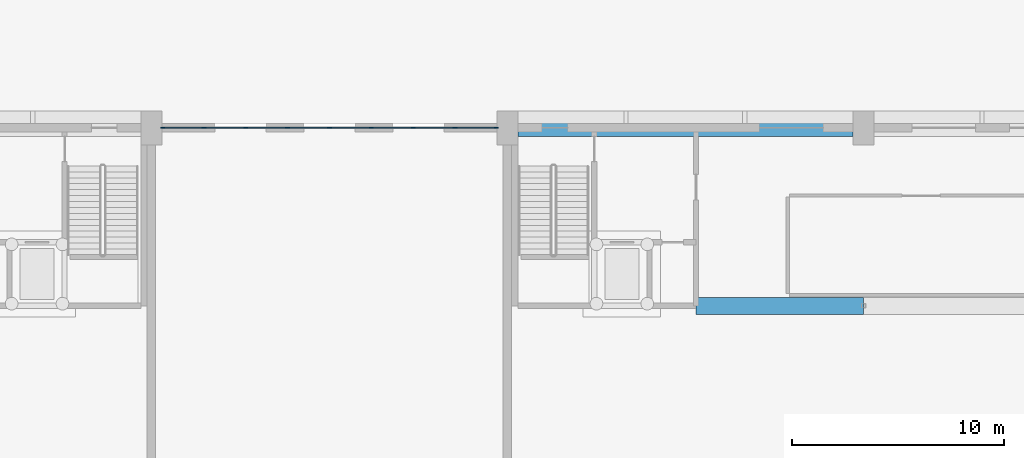
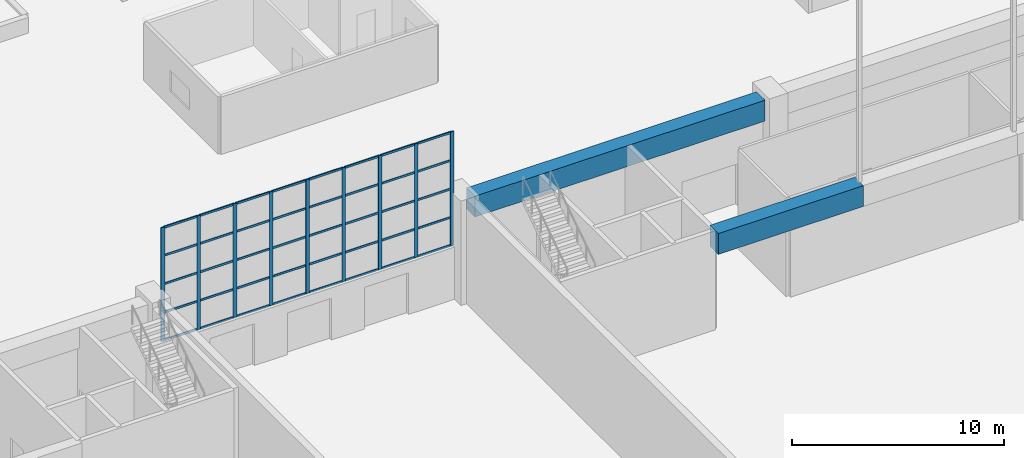
# One storey, part 66 of 210: 49 members, 2 beams, 1 element without a shape of its own.
"""IFC4 building model written with IfcOpenShell, lengths in metres."""

from ifc_helpers import new_model, si_unit, direction, frame, origin, origin_2d, place, context, subcontext, project, spatial, rectangle, extrude, material, material_profile, profile_set, type_object, element, aggregate, save


model = new_model("IFC4")

# Units and contexts
model_context = context("Model", 3, precision=1e-05, world=origin(), true_north=direction((0.0, 1.0)))
body_context = subcontext(model_context, "Body", "Model", "MODEL_VIEW")
ifc_project = project(units=[si_unit("LENGTHUNIT", "METRE"), si_unit("AREAUNIT", "SQUARE_METRE"), si_unit("VOLUMEUNIT", "CUBIC_METRE"), si_unit("PLANEANGLEUNIT", "RADIAN"), si_unit("MASSUNIT", "GRAM", prefix="KILO")], contexts=[model_context])

# Site, building, storey
site_placement = place(None, origin())
site = spatial("IfcSite", under=ifc_project, at=site_placement, CompositionType="ELEMENT")
building_placement = place(site_placement, origin())
building = spatial("IfcBuilding", under=site, at=building_placement, Name="Rain Tree Exposition and Congress Centre", CompositionType="ELEMENT")
storey_placement = place(building_placement, origin())
storey = spatial("IfcBuildingStorey", under=building, at=storey_placement, Name="L00", CompositionType="ELEMENT", Elevation=0.0)

# Curtain wall, members
ifc_material_1 = material(Name="Gable curtain wall 2800 module")
curtain_wall_type = type_object("IfcCurtainWallType", Name="Gable curtain wall 2800 module", PredefinedType="NOTDEFINED", material=ifc_material_1)
curtain_wall_placement = place(storey_placement, origin())
curtain_wall = element("IfcCurtainWall", 1, at=curtain_wall_placement, inside=storey, type_object=curtain_wall_type, Name="Link north curtain wall", PredefinedType="NOTDEFINED")
ifc_material_2 = material(Name="Aluminium", Category="aluminium")
ifc_material_profile_1 = material_profile(ifc_material_2, rectangle(XDim=0.06005859375, YDim=0.199951171875, at=origin_2d()), Name="Aluminium 60x200")
ifc_profile_set_1 = profile_set([ifc_material_profile_1], Name="Aluminium")
member_type_1 = type_object("IfcMemberType", Name="Gable mullion 60x200", PredefinedType="MULLION", material=ifc_profile_set_1)
member_1_placement = place(storey_placement, frame((126.530029296875, 201.60009765625, 3.0), z_axis=(0.0, 0.0, 1.0), x_axis=(0.0, 1.0, 0.0)))
member_1 = element("IfcMember", 2, at=member_1_placement, type_object=member_type_1, Name="CWHLN mullion 1", PredefinedType="MULLION", context=body_context, shape_type="SweptSolid", body=[
    extrude(rectangle(XDim=0.06005859375, YDim=0.199951171875, at=origin_2d()), origin(), (0.0, 0.0, 1.0), 6.550048828125),
])
member_2_placement = place(storey_placement, frame((128.47509765625, 201.60009765625, 3.0), z_axis=(0.0, 0.0, 1.0), x_axis=(0.0, 1.0, 0.0)))
member_2 = element("IfcMember", 3, at=member_2_placement, type_object=member_type_1, Name="CWHLN mullion 2", PredefinedType="MULLION", context=body_context, shape_type="SweptSolid", body=[
    extrude(rectangle(XDim=0.06005859375, YDim=0.199951171875, at=origin_2d()), origin(), (0.0, 0.0, 1.0), 6.550048828125),
])
member_3_placement = place(storey_placement, frame((130.449951171875, 201.60009765625, 3.0), z_axis=(0.0, 0.0, 1.0), x_axis=(0.0, 1.0, 0.0)))
member_3 = element("IfcMember", 4, at=member_3_placement, type_object=member_type_1, Name="CWHLN mullion 3", PredefinedType="MULLION", context=body_context, shape_type="SweptSolid", body=[
    extrude(rectangle(XDim=0.06005859375, YDim=0.199951171875, at=origin_2d()), origin(), (0.0, 0.0, 1.0), 6.550048828125),
])
member_4_placement = place(storey_placement, frame((132.425048828125, 201.60009765625, 3.0), z_axis=(0.0, 0.0, 1.0), x_axis=(0.0, 1.0, 0.0)))
member_4 = element("IfcMember", 5, at=member_4_placement, type_object=member_type_1, Name="CWHLN mullion 4", PredefinedType="MULLION", context=body_context, shape_type="SweptSolid", body=[
    extrude(rectangle(XDim=0.06005859375, YDim=0.199951171875, at=origin_2d()), origin(), (0.0, 0.0, 1.0), 6.550048828125),
])
member_5_placement = place(storey_placement, frame((134.39990234375, 201.60009765625, 3.0), z_axis=(0.0, 0.0, 1.0), x_axis=(0.0, 1.0, 0.0)))
member_5 = element("IfcMember", 6, at=member_5_placement, type_object=member_type_1, Name="CWHLN mullion 5", PredefinedType="MULLION", context=body_context, shape_type="SweptSolid", body=[
    extrude(rectangle(XDim=0.06005859375, YDim=0.199951171875, at=origin_2d()), origin(), (0.0, 0.0, 1.0), 6.550048828125),
])
member_6_placement = place(storey_placement, frame((136.375, 201.60009765625, 3.0), z_axis=(0.0, 0.0, 1.0), x_axis=(0.0, 1.0, 0.0)))
member_6 = element("IfcMember", 7, at=member_6_placement, type_object=member_type_1, Name="CWHLN mullion 6", PredefinedType="MULLION", context=body_context, shape_type="SweptSolid", body=[
    extrude(rectangle(XDim=0.06005859375, YDim=0.199951171875, at=origin_2d()), origin(), (0.0, 0.0, 1.0), 6.550048828125),
])
member_7_placement = place(storey_placement, frame((138.35009765625, 201.60009765625, 3.0), z_axis=(0.0, 0.0, 1.0), x_axis=(0.0, 1.0, 0.0)))
member_7 = element("IfcMember", 8, at=member_7_placement, type_object=member_type_1, Name="CWHLN mullion 7", PredefinedType="MULLION", context=body_context, shape_type="SweptSolid", body=[
    extrude(rectangle(XDim=0.06005859375, YDim=0.199951171875, at=origin_2d()), origin(), (0.0, 0.0, 1.0), 6.550048828125),
])
member_8_placement = place(storey_placement, frame((140.324951171875, 201.60009765625, 3.0), z_axis=(0.0, 0.0, 1.0), x_axis=(0.0, 1.0, 0.0)))
member_8 = element("IfcMember", 9, at=member_8_placement, type_object=member_type_1, Name="CWHLN mullion 8", PredefinedType="MULLION", context=body_context, shape_type="SweptSolid", body=[
    extrude(rectangle(XDim=0.06005859375, YDim=0.199951171875, at=origin_2d()), origin(), (0.0, 0.0, 1.0), 6.550048828125),
])
member_9_placement = place(storey_placement, frame((142.27001953125, 201.60009765625, 3.0), z_axis=(0.0, 0.0, 1.0), x_axis=(0.0, 1.0, 0.0)))
member_9 = element("IfcMember", 10, at=member_9_placement, type_object=member_type_1, Name="CWHLN mullion 9", PredefinedType="MULLION", context=body_context, shape_type="SweptSolid", body=[
    extrude(rectangle(XDim=0.06005859375, YDim=0.199951171875, at=origin_2d()), origin(), (0.0, 0.0, 1.0), 6.550048828125),
])
ifc_material_3 = material(Name="Aluminium", Category="aluminium")
ifc_material_profile_2 = material_profile(ifc_material_3, rectangle(XDim=0.06005859375, YDim=0.1201171875, at=origin_2d()), Name="Aluminium 60x120")
ifc_profile_set_2 = profile_set([ifc_material_profile_2], Name="Aluminium")
member_type_2 = type_object("IfcMemberType", Name="Gable transom 60x120", PredefinedType="USERDEFINED", material=ifc_profile_set_2)
member_10_placement = place(storey_placement, frame((126.56005859375, 201.60009765625, 3.030029296875), z_axis=(1.0, 0.0, 0.0), x_axis=(0.0, 1.0, 0.0)))
member_10 = element("IfcMember", 11, at=member_10_placement, type_object=member_type_2, Name="CWHLN transom 1.1", ObjectType="TRANSOM", PredefinedType="USERDEFINED", context=body_context, shape_type="SweptSolid", body=[
    extrude(rectangle(XDim=0.06005859375, YDim=0.1201171875, at=origin_2d()), origin(), (0.0, 0.0, 1.0), 1.885009765625),
])
member_11_placement = place(storey_placement, frame((126.56005859375, 201.60009765625, 4.637451171875), z_axis=(1.0, 0.0, 0.0), x_axis=(0.0, 1.0, 0.0)))
member_11 = element("IfcMember", 12, at=member_11_placement, type_object=member_type_2, Name="CWHLN transom 1.2", ObjectType="TRANSOM", PredefinedType="USERDEFINED", context=body_context, shape_type="SweptSolid", body=[
    extrude(rectangle(XDim=0.06005859375, YDim=0.1201171875, at=origin_2d()), origin(), (0.0, 0.0, 1.0), 1.885009765625),
])
member_12_placement = place(storey_placement, frame((126.56005859375, 201.60009765625, 6.27490234375), z_axis=(1.0, 0.0, 0.0), x_axis=(0.0, 1.0, 0.0)))
member_12 = element("IfcMember", 13, at=member_12_placement, type_object=member_type_2, Name="CWHLN transom 1.3", ObjectType="TRANSOM", PredefinedType="USERDEFINED", context=body_context, shape_type="SweptSolid", body=[
    extrude(rectangle(XDim=0.06005859375, YDim=0.1201171875, at=origin_2d()), origin(), (0.0, 0.0, 1.0), 1.885009765625),
])
member_13_placement = place(storey_placement, frame((126.56005859375, 201.60009765625, 7.91259765625), z_axis=(1.0, 0.0, 0.0), x_axis=(0.0, 1.0, 0.0)))
member_13 = element("IfcMember", 14, at=member_13_placement, type_object=member_type_2, Name="CWHLN transom 1.4", ObjectType="TRANSOM", PredefinedType="USERDEFINED", context=body_context, shape_type="SweptSolid", body=[
    extrude(rectangle(XDim=0.06005859375, YDim=0.1201171875, at=origin_2d()), origin(), (0.0, 0.0, 1.0), 1.885009765625),
])
member_14_placement = place(storey_placement, frame((126.56005859375, 201.60009765625, 9.52001953125), z_axis=(1.0, 0.0, 0.0), x_axis=(0.0, 1.0, 0.0)))
member_14 = element("IfcMember", 15, at=member_14_placement, type_object=member_type_2, Name="CWHLN transom 1.5", ObjectType="TRANSOM", PredefinedType="USERDEFINED", context=body_context, shape_type="SweptSolid", body=[
    extrude(rectangle(XDim=0.06005859375, YDim=0.1201171875, at=origin_2d()), origin(), (0.0, 0.0, 1.0), 1.885009765625),
])
member_15_placement = place(storey_placement, frame((128.5048828125, 201.60009765625, 3.030029296875), z_axis=(1.0, 0.0, 0.0), x_axis=(0.0, 1.0, 0.0)))
member_15 = element("IfcMember", 16, at=member_15_placement, type_object=member_type_2, Name="CWHLN transom 2.1", ObjectType="TRANSOM", PredefinedType="USERDEFINED", context=body_context, shape_type="SweptSolid", body=[
    extrude(rectangle(XDim=0.06005859375, YDim=0.1201171875, at=origin_2d()), origin(), (0.0, 0.0, 1.0), 1.9150390625),
])
member_16_placement = place(storey_placement, frame((128.5048828125, 201.60009765625, 4.637451171875), z_axis=(1.0, 0.0, 0.0), x_axis=(0.0, 1.0, 0.0)))
member_16 = element("IfcMember", 17, at=member_16_placement, type_object=member_type_2, Name="CWHLN transom 2.2", ObjectType="TRANSOM", PredefinedType="USERDEFINED", context=body_context, shape_type="SweptSolid", body=[
    extrude(rectangle(XDim=0.06005859375, YDim=0.1201171875, at=origin_2d()), origin(), (0.0, 0.0, 1.0), 1.9150390625),
])
member_17_placement = place(storey_placement, frame((128.5048828125, 201.60009765625, 6.27490234375), z_axis=(1.0, 0.0, 0.0), x_axis=(0.0, 1.0, 0.0)))
member_17 = element("IfcMember", 18, at=member_17_placement, type_object=member_type_2, Name="CWHLN transom 2.3", ObjectType="TRANSOM", PredefinedType="USERDEFINED", context=body_context, shape_type="SweptSolid", body=[
    extrude(rectangle(XDim=0.06005859375, YDim=0.1201171875, at=origin_2d()), origin(), (0.0, 0.0, 1.0), 1.9150390625),
])
member_18_placement = place(storey_placement, frame((128.5048828125, 201.60009765625, 7.91259765625), z_axis=(1.0, 0.0, 0.0), x_axis=(0.0, 1.0, 0.0)))
member_18 = element("IfcMember", 19, at=member_18_placement, type_object=member_type_2, Name="CWHLN transom 2.4", ObjectType="TRANSOM", PredefinedType="USERDEFINED", context=body_context, shape_type="SweptSolid", body=[
    extrude(rectangle(XDim=0.06005859375, YDim=0.1201171875, at=origin_2d()), origin(), (0.0, 0.0, 1.0), 1.9150390625),
])
member_19_placement = place(storey_placement, frame((128.5048828125, 201.60009765625, 9.52001953125), z_axis=(1.0, 0.0, 0.0), x_axis=(0.0, 1.0, 0.0)))
member_19 = element("IfcMember", 20, at=member_19_placement, type_object=member_type_2, Name="CWHLN transom 2.5", ObjectType="TRANSOM", PredefinedType="USERDEFINED", context=body_context, shape_type="SweptSolid", body=[
    extrude(rectangle(XDim=0.06005859375, YDim=0.1201171875, at=origin_2d()), origin(), (0.0, 0.0, 1.0), 1.9150390625),
])
member_20_placement = place(storey_placement, frame((130.47998046875, 201.60009765625, 3.030029296875), z_axis=(1.0, 0.0, 0.0), x_axis=(0.0, 1.0, 0.0)))
member_20 = element("IfcMember", 21, at=member_20_placement, type_object=member_type_2, Name="CWHLN transom 3.1", ObjectType="TRANSOM", PredefinedType="USERDEFINED", context=body_context, shape_type="SweptSolid", body=[
    extrude(rectangle(XDim=0.06005859375, YDim=0.1201171875, at=origin_2d()), origin(), (0.0, 0.0, 1.0), 1.9150390625),
])
member_21_placement = place(storey_placement, frame((130.47998046875, 201.60009765625, 4.637451171875), z_axis=(1.0, 0.0, 0.0), x_axis=(0.0, 1.0, 0.0)))
member_21 = element("IfcMember", 22, at=member_21_placement, type_object=member_type_2, Name="CWHLN transom 3.2", ObjectType="TRANSOM", PredefinedType="USERDEFINED", context=body_context, shape_type="SweptSolid", body=[
    extrude(rectangle(XDim=0.06005859375, YDim=0.1201171875, at=origin_2d()), origin(), (0.0, 0.0, 1.0), 1.9150390625),
])
member_22_placement = place(storey_placement, frame((130.47998046875, 201.60009765625, 6.27490234375), z_axis=(1.0, 0.0, 0.0), x_axis=(0.0, 1.0, 0.0)))
member_22 = element("IfcMember", 23, at=member_22_placement, type_object=member_type_2, Name="CWHLN transom 3.3", ObjectType="TRANSOM", PredefinedType="USERDEFINED", context=body_context, shape_type="SweptSolid", body=[
    extrude(rectangle(XDim=0.06005859375, YDim=0.1201171875, at=origin_2d()), origin(), (0.0, 0.0, 1.0), 1.9150390625),
])
member_23_placement = place(storey_placement, frame((130.47998046875, 201.60009765625, 7.91259765625), z_axis=(1.0, 0.0, 0.0), x_axis=(0.0, 1.0, 0.0)))
member_23 = element("IfcMember", 24, at=member_23_placement, type_object=member_type_2, Name="CWHLN transom 3.4", ObjectType="TRANSOM", PredefinedType="USERDEFINED", context=body_context, shape_type="SweptSolid", body=[
    extrude(rectangle(XDim=0.06005859375, YDim=0.1201171875, at=origin_2d()), origin(), (0.0, 0.0, 1.0), 1.9150390625),
])
member_24_placement = place(storey_placement, frame((130.47998046875, 201.60009765625, 9.52001953125), z_axis=(1.0, 0.0, 0.0), x_axis=(0.0, 1.0, 0.0)))
member_24 = element("IfcMember", 25, at=member_24_placement, type_object=member_type_2, Name="CWHLN transom 3.5", ObjectType="TRANSOM", PredefinedType="USERDEFINED", context=body_context, shape_type="SweptSolid", body=[
    extrude(rectangle(XDim=0.06005859375, YDim=0.1201171875, at=origin_2d()), origin(), (0.0, 0.0, 1.0), 1.9150390625),
])
member_25_placement = place(storey_placement, frame((132.455078125, 201.60009765625, 3.030029296875), z_axis=(1.0, 0.0, 0.0), x_axis=(0.0, 1.0, 0.0)))
member_25 = element("IfcMember", 26, at=member_25_placement, type_object=member_type_2, Name="CWHLN transom 4.1", ObjectType="TRANSOM", PredefinedType="USERDEFINED", context=body_context, shape_type="SweptSolid", body=[
    extrude(rectangle(XDim=0.06005859375, YDim=0.1201171875, at=origin_2d()), origin(), (0.0, 0.0, 1.0), 1.9150390625),
])
member_26_placement = place(storey_placement, frame((132.455078125, 201.60009765625, 4.637451171875), z_axis=(1.0, 0.0, 0.0), x_axis=(0.0, 1.0, 0.0)))
member_26 = element("IfcMember", 27, at=member_26_placement, type_object=member_type_2, Name="CWHLN transom 4.2", ObjectType="TRANSOM", PredefinedType="USERDEFINED", context=body_context, shape_type="SweptSolid", body=[
    extrude(rectangle(XDim=0.06005859375, YDim=0.1201171875, at=origin_2d()), origin(), (0.0, 0.0, 1.0), 1.9150390625),
])
member_27_placement = place(storey_placement, frame((132.455078125, 201.60009765625, 6.27490234375), z_axis=(1.0, 0.0, 0.0), x_axis=(0.0, 1.0, 0.0)))
member_27 = element("IfcMember", 28, at=member_27_placement, type_object=member_type_2, Name="CWHLN transom 4.3", ObjectType="TRANSOM", PredefinedType="USERDEFINED", context=body_context, shape_type="SweptSolid", body=[
    extrude(rectangle(XDim=0.06005859375, YDim=0.1201171875, at=origin_2d()), origin(), (0.0, 0.0, 1.0), 1.9150390625),
])
member_28_placement = place(storey_placement, frame((132.455078125, 201.60009765625, 7.91259765625), z_axis=(1.0, 0.0, 0.0), x_axis=(0.0, 1.0, 0.0)))
member_28 = element("IfcMember", 29, at=member_28_placement, type_object=member_type_2, Name="CWHLN transom 4.4", ObjectType="TRANSOM", PredefinedType="USERDEFINED", context=body_context, shape_type="SweptSolid", body=[
    extrude(rectangle(XDim=0.06005859375, YDim=0.1201171875, at=origin_2d()), origin(), (0.0, 0.0, 1.0), 1.9150390625),
])
member_29_placement = place(storey_placement, frame((132.455078125, 201.60009765625, 9.52001953125), z_axis=(1.0, 0.0, 0.0), x_axis=(0.0, 1.0, 0.0)))
member_29 = element("IfcMember", 30, at=member_29_placement, type_object=member_type_2, Name="CWHLN transom 4.5", ObjectType="TRANSOM", PredefinedType="USERDEFINED", context=body_context, shape_type="SweptSolid", body=[
    extrude(rectangle(XDim=0.06005859375, YDim=0.1201171875, at=origin_2d()), origin(), (0.0, 0.0, 1.0), 1.9150390625),
])
member_30_placement = place(storey_placement, frame((134.429931640625, 201.60009765625, 3.030029296875), z_axis=(1.0, 0.0, 0.0), x_axis=(0.0, 1.0, 0.0)))
member_30 = element("IfcMember", 31, at=member_30_placement, type_object=member_type_2, Name="CWHLN transom 5.1", ObjectType="TRANSOM", PredefinedType="USERDEFINED", context=body_context, shape_type="SweptSolid", body=[
    extrude(rectangle(XDim=0.06005859375, YDim=0.1201171875, at=origin_2d()), origin(), (0.0, 0.0, 1.0), 1.9150390625),
])
member_31_placement = place(storey_placement, frame((134.429931640625, 201.60009765625, 4.637451171875), z_axis=(1.0, 0.0, 0.0), x_axis=(0.0, 1.0, 0.0)))
member_31 = element("IfcMember", 32, at=member_31_placement, type_object=member_type_2, Name="CWHLN transom 5.2", ObjectType="TRANSOM", PredefinedType="USERDEFINED", context=body_context, shape_type="SweptSolid", body=[
    extrude(rectangle(XDim=0.06005859375, YDim=0.1201171875, at=origin_2d()), origin(), (0.0, 0.0, 1.0), 1.9150390625),
])
member_32_placement = place(storey_placement, frame((134.429931640625, 201.60009765625, 6.27490234375), z_axis=(1.0, 0.0, 0.0), x_axis=(0.0, 1.0, 0.0)))
member_32 = element("IfcMember", 33, at=member_32_placement, type_object=member_type_2, Name="CWHLN transom 5.3", ObjectType="TRANSOM", PredefinedType="USERDEFINED", context=body_context, shape_type="SweptSolid", body=[
    extrude(rectangle(XDim=0.06005859375, YDim=0.1201171875, at=origin_2d()), origin(), (0.0, 0.0, 1.0), 1.9150390625),
])
member_33_placement = place(storey_placement, frame((134.429931640625, 201.60009765625, 7.91259765625), z_axis=(1.0, 0.0, 0.0), x_axis=(0.0, 1.0, 0.0)))
member_33 = element("IfcMember", 34, at=member_33_placement, type_object=member_type_2, Name="CWHLN transom 5.4", ObjectType="TRANSOM", PredefinedType="USERDEFINED", context=body_context, shape_type="SweptSolid", body=[
    extrude(rectangle(XDim=0.06005859375, YDim=0.1201171875, at=origin_2d()), origin(), (0.0, 0.0, 1.0), 1.9150390625),
])
member_34_placement = place(storey_placement, frame((134.429931640625, 201.60009765625, 9.52001953125), z_axis=(1.0, 0.0, 0.0), x_axis=(0.0, 1.0, 0.0)))
member_34 = element("IfcMember", 35, at=member_34_placement, type_object=member_type_2, Name="CWHLN transom 5.5", ObjectType="TRANSOM", PredefinedType="USERDEFINED", context=body_context, shape_type="SweptSolid", body=[
    extrude(rectangle(XDim=0.06005859375, YDim=0.1201171875, at=origin_2d()), origin(), (0.0, 0.0, 1.0), 1.9150390625),
])
member_35_placement = place(storey_placement, frame((136.405029296875, 201.60009765625, 3.030029296875), z_axis=(1.0, 0.0, 0.0), x_axis=(0.0, 1.0, 0.0)))
member_35 = element("IfcMember", 36, at=member_35_placement, type_object=member_type_2, Name="CWHLN transom 6.1", ObjectType="TRANSOM", PredefinedType="USERDEFINED", context=body_context, shape_type="SweptSolid", body=[
    extrude(rectangle(XDim=0.06005859375, YDim=0.1201171875, at=origin_2d()), origin(), (0.0, 0.0, 1.0), 1.9150390625),
])
member_36_placement = place(storey_placement, frame((136.405029296875, 201.60009765625, 4.637451171875), z_axis=(1.0, 0.0, 0.0), x_axis=(0.0, 1.0, 0.0)))
member_36 = element("IfcMember", 37, at=member_36_placement, type_object=member_type_2, Name="CWHLN transom 6.2", ObjectType="TRANSOM", PredefinedType="USERDEFINED", context=body_context, shape_type="SweptSolid", body=[
    extrude(rectangle(XDim=0.06005859375, YDim=0.1201171875, at=origin_2d()), origin(), (0.0, 0.0, 1.0), 1.9150390625),
])
member_37_placement = place(storey_placement, frame((136.405029296875, 201.60009765625, 6.27490234375), z_axis=(1.0, 0.0, 0.0), x_axis=(0.0, 1.0, 0.0)))
member_37 = element("IfcMember", 38, at=member_37_placement, type_object=member_type_2, Name="CWHLN transom 6.3", ObjectType="TRANSOM", PredefinedType="USERDEFINED", context=body_context, shape_type="SweptSolid", body=[
    extrude(rectangle(XDim=0.06005859375, YDim=0.1201171875, at=origin_2d()), origin(), (0.0, 0.0, 1.0), 1.9150390625),
])
member_38_placement = place(storey_placement, frame((136.405029296875, 201.60009765625, 7.91259765625), z_axis=(1.0, 0.0, 0.0), x_axis=(0.0, 1.0, 0.0)))
member_38 = element("IfcMember", 39, at=member_38_placement, type_object=member_type_2, Name="CWHLN transom 6.4", ObjectType="TRANSOM", PredefinedType="USERDEFINED", context=body_context, shape_type="SweptSolid", body=[
    extrude(rectangle(XDim=0.06005859375, YDim=0.1201171875, at=origin_2d()), origin(), (0.0, 0.0, 1.0), 1.9150390625),
])
member_39_placement = place(storey_placement, frame((136.405029296875, 201.60009765625, 9.52001953125), z_axis=(1.0, 0.0, 0.0), x_axis=(0.0, 1.0, 0.0)))
member_39 = element("IfcMember", 40, at=member_39_placement, type_object=member_type_2, Name="CWHLN transom 6.5", ObjectType="TRANSOM", PredefinedType="USERDEFINED", context=body_context, shape_type="SweptSolid", body=[
    extrude(rectangle(XDim=0.06005859375, YDim=0.1201171875, at=origin_2d()), origin(), (0.0, 0.0, 1.0), 1.9150390625),
])
member_40_placement = place(storey_placement, frame((138.3798828125, 201.60009765625, 3.030029296875), z_axis=(1.0, 0.0, 0.0), x_axis=(0.0, 1.0, 0.0)))
member_40 = element("IfcMember", 41, at=member_40_placement, type_object=member_type_2, Name="CWHLN transom 7.1", ObjectType="TRANSOM", PredefinedType="USERDEFINED", context=body_context, shape_type="SweptSolid", body=[
    extrude(rectangle(XDim=0.06005859375, YDim=0.1201171875, at=origin_2d()), origin(), (0.0, 0.0, 1.0), 1.9150390625),
])
member_41_placement = place(storey_placement, frame((138.3798828125, 201.60009765625, 4.637451171875), z_axis=(1.0, 0.0, 0.0), x_axis=(0.0, 1.0, 0.0)))
member_41 = element("IfcMember", 42, at=member_41_placement, type_object=member_type_2, Name="CWHLN transom 7.2", ObjectType="TRANSOM", PredefinedType="USERDEFINED", context=body_context, shape_type="SweptSolid", body=[
    extrude(rectangle(XDim=0.06005859375, YDim=0.1201171875, at=origin_2d()), origin(), (0.0, 0.0, 1.0), 1.9150390625),
])
member_42_placement = place(storey_placement, frame((138.3798828125, 201.60009765625, 6.27490234375), z_axis=(1.0, 0.0, 0.0), x_axis=(0.0, 1.0, 0.0)))
member_42 = element("IfcMember", 43, at=member_42_placement, type_object=member_type_2, Name="CWHLN transom 7.3", ObjectType="TRANSOM", PredefinedType="USERDEFINED", context=body_context, shape_type="SweptSolid", body=[
    extrude(rectangle(XDim=0.06005859375, YDim=0.1201171875, at=origin_2d()), origin(), (0.0, 0.0, 1.0), 1.9150390625),
])
member_43_placement = place(storey_placement, frame((138.3798828125, 201.60009765625, 7.91259765625), z_axis=(1.0, 0.0, 0.0), x_axis=(0.0, 1.0, 0.0)))
member_43 = element("IfcMember", 44, at=member_43_placement, type_object=member_type_2, Name="CWHLN transom 7.4", ObjectType="TRANSOM", PredefinedType="USERDEFINED", context=body_context, shape_type="SweptSolid", body=[
    extrude(rectangle(XDim=0.06005859375, YDim=0.1201171875, at=origin_2d()), origin(), (0.0, 0.0, 1.0), 1.9150390625),
])
member_44_placement = place(storey_placement, frame((138.3798828125, 201.60009765625, 9.52001953125), z_axis=(1.0, 0.0, 0.0), x_axis=(0.0, 1.0, 0.0)))
member_44 = element("IfcMember", 45, at=member_44_placement, type_object=member_type_2, Name="CWHLN transom 7.5", ObjectType="TRANSOM", PredefinedType="USERDEFINED", context=body_context, shape_type="SweptSolid", body=[
    extrude(rectangle(XDim=0.06005859375, YDim=0.1201171875, at=origin_2d()), origin(), (0.0, 0.0, 1.0), 1.9150390625),
])
member_45_placement = place(storey_placement, frame((140.35498046875, 201.60009765625, 3.030029296875), z_axis=(1.0, 0.0, 0.0), x_axis=(0.0, 1.0, 0.0)))
member_45 = element("IfcMember", 46, at=member_45_placement, type_object=member_type_2, Name="CWHLN transom 8.1", ObjectType="TRANSOM", PredefinedType="USERDEFINED", context=body_context, shape_type="SweptSolid", body=[
    extrude(rectangle(XDim=0.06005859375, YDim=0.1201171875, at=origin_2d()), origin(), (0.0, 0.0, 1.0), 1.885009765625),
])
member_46_placement = place(storey_placement, frame((140.35498046875, 201.60009765625, 4.637451171875), z_axis=(1.0, 0.0, 0.0), x_axis=(0.0, 1.0, 0.0)))
member_46 = element("IfcMember", 47, at=member_46_placement, type_object=member_type_2, Name="CWHLN transom 8.2", ObjectType="TRANSOM", PredefinedType="USERDEFINED", context=body_context, shape_type="SweptSolid", body=[
    extrude(rectangle(XDim=0.06005859375, YDim=0.1201171875, at=origin_2d()), origin(), (0.0, 0.0, 1.0), 1.885009765625),
])
member_47_placement = place(storey_placement, frame((140.35498046875, 201.60009765625, 6.27490234375), z_axis=(1.0, 0.0, 0.0), x_axis=(0.0, 1.0, 0.0)))
member_47 = element("IfcMember", 48, at=member_47_placement, type_object=member_type_2, Name="CWHLN transom 8.3", ObjectType="TRANSOM", PredefinedType="USERDEFINED", context=body_context, shape_type="SweptSolid", body=[
    extrude(rectangle(XDim=0.06005859375, YDim=0.1201171875, at=origin_2d()), origin(), (0.0, 0.0, 1.0), 1.885009765625),
])
member_48_placement = place(storey_placement, frame((140.35498046875, 201.60009765625, 7.91259765625), z_axis=(1.0, 0.0, 0.0), x_axis=(0.0, 1.0, 0.0)))
member_48 = element("IfcMember", 49, at=member_48_placement, type_object=member_type_2, Name="CWHLN transom 8.4", ObjectType="TRANSOM", PredefinedType="USERDEFINED", context=body_context, shape_type="SweptSolid", body=[
    extrude(rectangle(XDim=0.06005859375, YDim=0.1201171875, at=origin_2d()), origin(), (0.0, 0.0, 1.0), 1.885009765625),
])
member_49_placement = place(storey_placement, frame((140.35498046875, 201.60009765625, 9.52001953125), z_axis=(1.0, 0.0, 0.0), x_axis=(0.0, 1.0, 0.0)))
member_49 = element("IfcMember", 50, at=member_49_placement, type_object=member_type_2, Name="CWHLN transom 8.5", ObjectType="TRANSOM", PredefinedType="USERDEFINED", context=body_context, shape_type="SweptSolid", body=[
    extrude(rectangle(XDim=0.06005859375, YDim=0.1201171875, at=origin_2d()), origin(), (0.0, 0.0, 1.0), 1.885009765625),
])
aggregate(curtain_wall, [member_1, member_2, member_3, member_4, member_5, member_6, member_7, member_8, member_9, member_10, member_11, member_12, member_13, member_14, member_15, member_16, member_17, member_18, member_19, member_20, member_21, member_22, member_23, member_24, member_25, member_26, member_27, member_28, member_29, member_30, member_31, member_32, member_33, member_34, member_35, member_36, member_37, member_38, member_39, member_40, member_41, member_42, member_43, member_44, member_45, member_46, member_47, member_48, member_49])

# Beams
ifc_material_4 = material(Name="Precast concrete C50/60", Category="concrete")
ifc_material_profile_3 = material_profile(ifc_material_4, rectangle(XDim=0.800048828125, YDim=1.199951171875, at=origin_2d()), Name="RC 800x1200")
ifc_profile_set_3 = profile_set([ifc_material_profile_3], Name="Precast concrete C50/60")
beam_type = type_object("IfcBeamType", Name="Precast beam 800x1200", PredefinedType="BEAM", material=ifc_profile_set_3)
beam_1_placement = place(storey_placement, frame((143.300048828125, 201.60009765625, 5.10009765625), z_axis=(1.0, 0.0, 0.0), x_axis=(0.0, 1.0, 0.0)))
element("IfcBeam", 51, at=beam_1_placement, inside=storey, type_object=beam_type, Name="Gallery perimeter beam 7", PredefinedType="BEAM", context=body_context, shape_type="SweptSolid", body=[
    extrude(rectangle(XDim=0.800048828125, YDim=1.199951171875, at=origin_2d()), origin(), (0.0, 0.0, 1.0), 15.800048828125),
])
beam_2_placement = place(storey_placement, frame((151.699951171875, 193.199951171875, 5.10009765625), z_axis=(1.0, 0.0, 0.0), x_axis=(0.0, 1.0, 0.0)))
element("IfcBeam", 52, at=beam_2_placement, inside=storey, type_object=beam_type, Name="Gallery edge beam 20", PredefinedType="BEAM", context=body_context, shape_type="SweptSolid", body=[
    extrude(rectangle(XDim=0.800048828125, YDim=1.199951171875, at=origin_2d()), origin(), (0.0, 0.0, 1.0), 7.900146484375),
])

save(model, "model.ifc")
